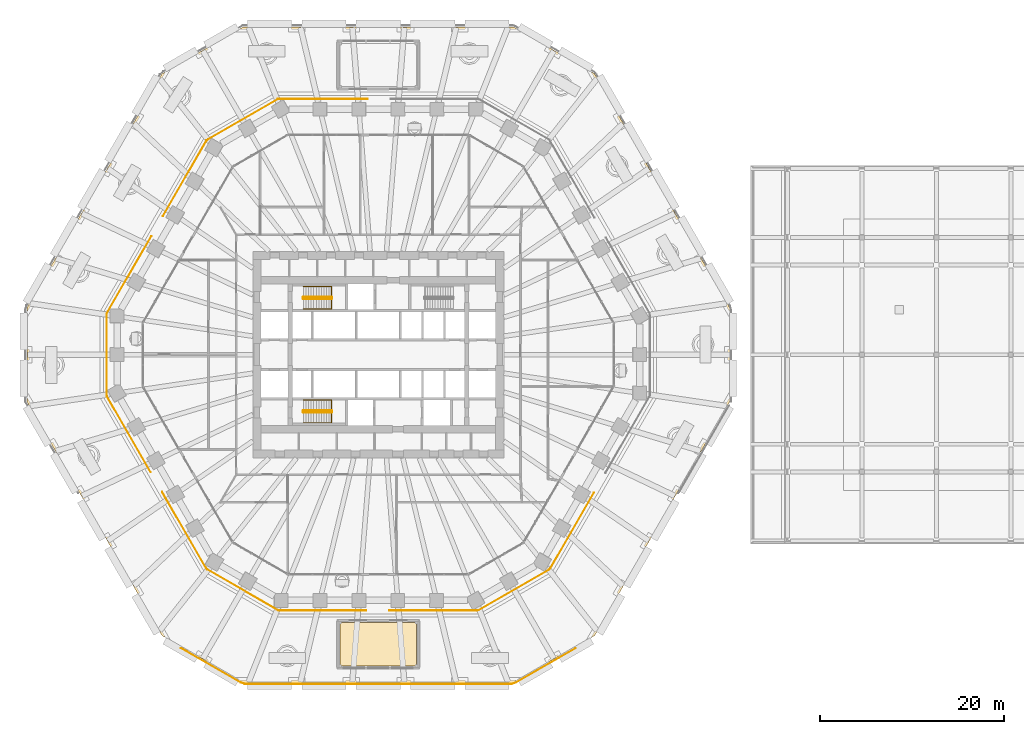
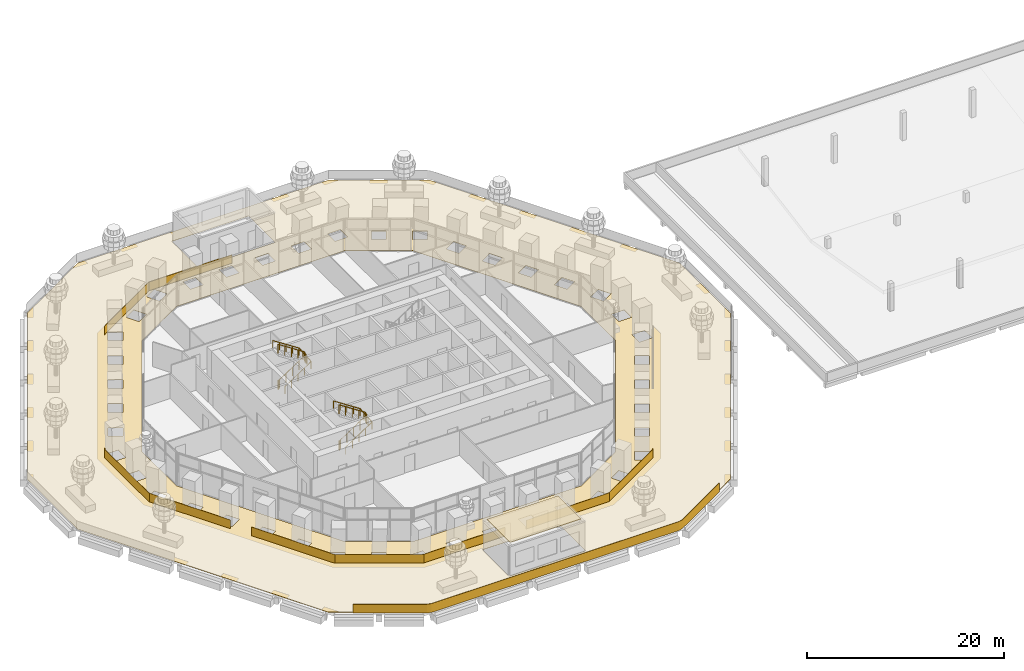
# One storey, part 28 of 32: 9 railings, 2 coverings.
"""IFC4 building model written with IfcOpenShell, lengths in metres."""

from ifc_helpers import new_model, si_unit, direction, frame, origin, origin_2d, place, context, subcontext, project, spatial, polyline, rectangle, circle, outline, extrude, material, layer, layer_set, type_object, element, save


model = new_model("IFC4")

# Units and contexts
model_context = context("Model", 3, precision=1e-05, world=origin(), true_north=direction((0.0, 1.0)))
body_context = subcontext(model_context, "Body", "Model", "MODEL_VIEW")
ifc_project = project(units=[si_unit("LENGTHUNIT", "METRE"), si_unit("AREAUNIT", "SQUARE_METRE"), si_unit("VOLUMEUNIT", "CUBIC_METRE"), si_unit("PLANEANGLEUNIT", "RADIAN"), si_unit("MASSUNIT", "GRAM", prefix="KILO")], contexts=[model_context])

# Site, building, storey
site_placement = place(None, origin())
site = spatial("IfcSite", under=ifc_project, at=site_placement, CompositionType="ELEMENT")
building_placement = place(site_placement, origin())
building = spatial("IfcBuilding", under=site, at=building_placement, Name="Frailejon Research Tower", CompositionType="ELEMENT")
storey_placement = place(building_placement, frame((0.0, 0.0, 14.60009765625)))
storey = spatial("IfcBuildingStorey", under=building, at=storey_placement, Name="L03", CompositionType="ELEMENT", Elevation=14.60009765625)

# Railings
ifc_material_1 = material(Name="Laminated glass balustrade", Category="glass")
railing_type_1 = type_object("IfcRailingType", Name="Glass guard 1100", PredefinedType="GUARDRAIL", material=ifc_material_1)
railing_1_placement = place(storey_placement, frame((-21.46337890625, -31.9130859375, 0.02978515625)))
element("IfcRailing", 1, at=railing_1_placement, inside=storey, type_object=railing_type_1, Name="Garden deck guard L03 2", PredefinedType="GUARDRAIL", context=body_context, shape_type="SweptSolid", body=[
    extrude(rectangle(XDim=7.500244140625, YDim=0.030029296875, at=origin_2d()), frame((3.24755859375, -1.875, 0.0), z_axis=(0.0, 0.0, 1.0), x_axis=(0.866031096941, -0.499990139034, 0.0)), (0.0, 0.0, 1.0), 1.10009765625),
    extrude(rectangle(XDim=0.48291015625, YDim=0.030029296875, at=origin_2d()), frame((6.72705078125, -3.818359375, 0.0), z_axis=(0.0, 0.0, 1.0), x_axis=(0.958945873726, -0.283589159283, 0.0)), (0.0, 0.0, 1.0), 1.10009765625),
    extrude(rectangle(XDim=29.0, YDim=0.030029296875, at=origin_2d()), frame((21.45849609375, -3.886962890625, 0.0), z_axis=(0.0, 0.0, 1.0), x_axis=(1.0, 0.0, 0.0)), (0.0, 0.0, 1.0), 1.10009765625),
    extrude(rectangle(XDim=0.48291015625, YDim=0.030029296875, at=origin_2d()), frame((36.19091796875, -3.82080078125, 0.0), z_axis=(0.0, 0.0, 1.0), x_axis=(0.961885514466, 0.273452476787, 0.0)), (0.0, 0.0, 1.0), 1.10009765625),
    extrude(rectangle(XDim=7.500244140625, YDim=0.030029296875, at=origin_2d()), frame((39.6708984375, -1.8798828125, 0.0), z_axis=(0.0, 0.0, 1.0), x_axis=(0.866031096941, 0.499990139034, 0.0)), (0.0, 0.0, 1.0), 1.10009765625),
])
railing_2_placement = place(storey_placement, frame((-1.157958984375, 27.82080078125, 0.0)))
element("IfcRailing", 2, at=railing_2_placement, inside=storey, type_object=railing_type_1, Name="Loggia guard L03 3", PredefinedType="GUARDRAIL", context=body_context, shape_type="SweptSolid", body=[
    extrude(rectangle(XDim=9.5, YDim=0.030029296875, at=origin_2d()), frame((-4.75, 0.0, 0.0), z_axis=(0.0, 0.0, 1.0), x_axis=(-1.0, 0.0, 0.0)), (0.0, 0.0, 1.0), 1.10009765625),
    extrude(rectangle(XDim=0.246826171875, YDim=0.030029296875, at=origin_2d()), frame((-9.623046875, -0.0068359375, 0.0), z_axis=(0.0, 0.0, 1.0), x_axis=(-0.998408159946, -0.056401650265, 0.0)), (0.0, 0.0, 1.0), 1.10009765625),
    extrude(rectangle(XDim=8.75, YDim=0.030029296875, at=origin_2d()), frame((-13.53515625, -2.201416015625, 0.0), z_axis=(0.0, 0.0, 1.0), x_axis=(-0.866022959057, -0.500004234368, 0.0)), (0.0, 0.0, 1.0), 1.10009765625),
    extrude(rectangle(XDim=0.244384765625, YDim=0.030029296875, at=origin_2d()), frame((-17.4228515625, -4.4609375, 0.0), z_axis=(0.0, 0.0, 1.0), x_axis=(-0.807958002114, -0.589240075707, 0.0)), (0.0, 0.0, 1.0), 1.10009765625),
    extrude(rectangle(XDim=9.499755859375, YDim=0.030029296875, at=origin_2d()), frame((-19.896484375, -8.646484375, 0.0), z_axis=(0.0, 0.0, 1.0), x_axis=(-0.500008685663, -0.866020389056, 0.0)), (0.0, 0.0, 1.0), 1.10009765625),
])
railing_3_placement = place(storey_placement, frame((-24.679443359375, 12.8955078125, 0.0)))
element("IfcRailing", 3, at=railing_3_placement, inside=storey, type_object=railing_type_1, Name="Loggia guard L03 4", PredefinedType="GUARDRAIL", context=body_context, shape_type="SweptSolid", body=[
    extrude(rectangle(XDim=9.499755859375, YDim=0.030029296875, at=origin_2d()), frame((-2.375, -4.113525390625, 0.0), z_axis=(0.0, 0.0, 1.0), x_axis=(-0.500008685663, -0.866020389056, 0.0)), (0.0, 0.0, 1.0), 1.10009765625),
    extrude(rectangle(XDim=0.245361328125, YDim=0.030029296875, at=origin_2d()), frame((-4.80224609375, -8.338134765625, 0.0), z_axis=(0.0, 0.0, 1.0), x_axis=(-0.424790674352, -0.905291601079, 0.0)), (0.0, 0.0, 1.0), 1.10009765625),
    extrude(rectangle(XDim=8.75, YDim=0.030029296875, at=origin_2d()), frame((-4.854248046875, -12.82421875, 0.0), z_axis=(0.0, 0.0, 1.0), x_axis=(0.0, -1.0, 0.0)), (0.0, 0.0, 1.0), 1.10009765625),
    extrude(rectangle(XDim=0.243408203125, YDim=0.030029296875, at=origin_2d()), frame((-4.837890625, -17.31982421875, 0.0), z_axis=(0.0, 0.0, 1.0), x_axis=(0.135381705295, -0.990793517274, 0.0)), (0.0, 0.0, 1.0), 1.10009765625),
    extrude(rectangle(XDim=9.5, YDim=0.030029296875, at=origin_2d()), frame((-2.4462890625, -21.55419921875, 0.0), z_axis=(0.0, 0.0, 1.0), x_axis=(0.499997557548, -0.86602681393, 0.0)), (0.0, 0.0, 1.0), 1.10009765625),
])
railing_4_placement = place(storey_placement, frame((-23.500732421875, -14.937255859375, 0.0)))
element("IfcRailing", 4, at=railing_4_placement, inside=storey, type_object=railing_type_1, Name="Loggia guard L03 5", PredefinedType="GUARDRAIL", context=body_context, shape_type="SweptSolid", body=[
    extrude(rectangle(XDim=9.499755859375, YDim=0.030029296875, at=origin_2d()), frame((2.375, -4.113525390625, 0.0), z_axis=(0.0, 0.0, 1.0), x_axis=(0.500008685663, -0.866020389056, 0.0)), (0.0, 0.0, 1.0), 1.10009765625),
    extrude(rectangle(XDim=0.244140625, YDim=0.030029296875, at=origin_2d()), frame((4.82275390625, -8.3251953125, 0.0), z_axis=(0.0, 0.0, 1.0), x_axis=(0.594868845878, -0.803822776614, 0.0)), (0.0, 0.0, 1.0), 1.10009765625),
    extrude(rectangle(XDim=8.750244140625, YDim=0.030029296875, at=origin_2d()), frame((8.68408203125, -10.61083984375, 0.0), z_axis=(0.0, 0.0, 1.0), x_axis=(0.866029934428, -0.499992152613, 0.0)), (0.0, 0.0, 1.0), 1.10009765625),
    extrude(rectangle(XDim=0.242431640625, YDim=0.030029296875, at=origin_2d()), frame((12.586669921875, -12.8408203125, 0.0), z_axis=(0.0, 0.0, 1.0), x_axis=(0.936246407743, -0.351344082045, 0.0)), (0.0, 0.0, 1.0), 1.10009765625),
    extrude(rectangle(XDim=9.5, YDim=0.030029296875, at=origin_2d()), frame((17.4501953125, -12.883544921875, 0.0), z_axis=(0.0, 0.0, 1.0), x_axis=(1.0, 0.0, 0.0)), (0.0, 0.0, 1.0), 1.10009765625),
])
railing_5_placement = place(storey_placement, frame((1.199462890625, -27.82080078125, 0.0)))
element("IfcRailing", 5, at=railing_5_placement, inside=storey, type_object=railing_type_1, Name="Loggia guard L03 6", PredefinedType="GUARDRAIL", context=body_context, shape_type="SweptSolid", body=[
    extrude(rectangle(XDim=9.5, YDim=0.030029296875, at=origin_2d()), frame((4.75, 0.0, 0.0), z_axis=(0.0, 0.0, 1.0), x_axis=(1.0, 0.0, 0.0)), (0.0, 0.0, 1.0), 1.10009765625),
    extrude(rectangle(XDim=0.2431640625, YDim=0.030029296875, at=origin_2d()), frame((9.620361328125, 0.017333984375, 0.0), z_axis=(0.0, 0.0, 1.0), x_axis=(0.989788240491, 0.142545568103, 0.0)), (0.0, 0.0, 1.0), 1.10009765625),
    extrude(rectangle(XDim=8.75, YDim=0.030029296875, at=origin_2d()), frame((13.529541015625, 2.22216796875, 0.0), z_axis=(0.0, 0.0, 1.0), x_axis=(0.866022959057, 0.500004234368, 0.0)), (0.0, 0.0, 1.0), 1.10009765625),
    extrude(rectangle(XDim=0.2421875, YDim=0.030029296875, at=origin_2d()), frame((17.40966796875, 4.4892578125, 0.0), z_axis=(0.0, 0.0, 1.0), x_axis=(0.753388318989, 0.65757588217, 0.0)), (0.0, 0.0, 1.0), 1.10009765625),
    extrude(rectangle(XDim=9.5, YDim=0.030029296875, at=origin_2d()), frame((19.875732421875, 8.6826171875, 0.0), z_axis=(0.0, 0.0, 1.0), x_axis=(0.499997557548, 0.86602681393, 0.0)), (0.0, 0.0, 1.0), 1.10009765625),
])

# Coverings
ifc_material_2 = material(Name="Stone paving slabs", Category="masonry")
ifc_layer_1 = layer(ifc_material_2, 0.030029296875)
ifc_layer_set_1 = layer_set([ifc_layer_1], Name="Paving 30")
covering_type_1 = type_object("IfcCoveringType", Name="Paving 30", PredefinedType="FLOORING", material=ifc_layer_set_1)
covering_1_placement = place(storey_placement, origin())
element("IfcCovering", 6, at=covering_1_placement, inside=storey, type_object=covering_type_1, Name="Garden deck paving L03", PredefinedType="FLOORING", context=body_context, shape_type="SweptSolid", body=[
    extrude(outline(polyline([(-14.69091796875, -35.64990234375), (-23.5283203125, -30.547607421875), (-38.21923828125, -5.102294921875), (-38.21923828125, 5.102294921875), (-23.5283203125, 30.547607421875), (-14.69091796875, 35.64990234375), (14.69091796875, 35.64990234375), (23.5283203125, 30.547607421875), (38.21923828125, 5.102294921875), (38.21923828125, -5.102294921875), (23.5283203125, -30.547607421875), (14.69091796875, -35.64990234375), (-14.69091796875, -35.64990234375)]), holes=[polyline([(9.8564453125, 24.0), (-9.8564453125, 24.0), (-15.8564453125, 20.535888671875), (-25.712890625, 3.464111328125), (-25.712890625, -3.464111328125), (-15.8564453125, -20.535888671875), (-9.8564453125, -24.0), (9.8564453125, -24.0), (15.8564453125, -20.535888671875), (25.712890625, -3.464111328125), (25.712890625, 3.464111328125), (15.8564453125, 20.535888671875), (9.8564453125, 24.0)]), polyline([(-17.558349609375, -23.536865234375), (-16.808349609375, -22.23779296875), (-18.107421875, -21.48779296875), (-18.857421875, -22.786865234375), (-17.558349609375, -23.536865234375)]), polyline([(-20.223388671875, -19.8720703125), (-18.92431640625, -19.1220703125), (-19.67431640625, -17.822998046875), (-20.973388671875, -18.572998046875), (-20.223388671875, -19.8720703125)]), polyline([(-22.33935546875, -16.20703125), (-21.040283203125, -15.45703125), (-21.790283203125, -14.157958984375), (-23.08935546875, -14.907958984375), (-22.33935546875, -16.20703125)]), polyline([(-25.205322265625, -11.242919921875), (-24.455322265625, -12.5419921875), (-23.156494140625, -11.7919921875), (-23.906494140625, -10.492919921875), (-25.205322265625, -11.242919921875)]), polyline([(-27.3212890625, -7.577880859375), (-26.5712890625, -8.876953125), (-25.272216796875, -8.126953125), (-26.022216796875, -6.827880859375), (-27.3212890625, -7.577880859375)]), polyline([(-28.687255859375, -5.212158203125), (-27.38818359375, -4.462158203125), (-28.13818359375, -3.1630859375), (-29.437255859375, -3.9130859375), (-28.687255859375, -5.212158203125)]), polyline([(-29.162841796875, -0.75), (-27.662841796875, -0.75), (-27.662841796875, 0.75), (-29.162841796875, 0.75), (-29.162841796875, -0.75)]), polyline([(-29.162841796875, 3.4375), (-27.662841796875, 3.4375), (-27.662841796875, 4.9375), (-29.162841796875, 4.9375), (-29.162841796875, 3.4375)]), polyline([(-26.5712890625, 8.876953125), (-27.3212890625, 7.577880859375), (-26.022216796875, 6.827880859375), (-25.272216796875, 8.126953125), (-26.5712890625, 8.876953125)]), polyline([(-24.455322265625, 12.5419921875), (-25.205322265625, 11.242919921875), (-23.906494140625, 10.492919921875), (-23.156494140625, 11.7919921875), (-24.455322265625, 12.5419921875)]), polyline([(-23.08935546875, 14.907958984375), (-21.790283203125, 14.157958984375), (-21.040283203125, 15.45703125), (-22.33935546875, 16.20703125), (-23.08935546875, 14.907958984375)]), polyline([(-20.973388671875, 18.572998046875), (-19.67431640625, 17.822998046875), (-18.92431640625, 19.1220703125), (-20.223388671875, 19.8720703125), (-20.973388671875, 18.572998046875)]), polyline([(-18.857421875, 22.23779296875), (-17.558349609375, 21.48779296875), (-16.808349609375, 22.786865234375), (-18.107421875, 23.536865234375), (-18.857421875, 22.23779296875)]), polyline([(-13.931884765625, 25.630615234375), (-15.23095703125, 24.880615234375), (-14.48095703125, 23.581787109375), (-13.181884765625, 24.331787109375), (-13.931884765625, 25.630615234375)]), polyline([(-11.329833984375, -27.449951171875), (-9.829833984375, -27.449951171875), (-9.829833984375, -25.949951171875), (-11.329833984375, -25.949951171875), (-11.329833984375, -27.449951171875)]), polyline([(-5.597900390625, -27.449951171875), (-5.597900390625, -25.949951171875), (-7.097900390625, -25.949951171875), (-7.097900390625, -27.449951171875), (-5.597900390625, -27.449951171875)]), polyline([(-2.865966796875, -27.449951171875), (-1.365966796875, -27.449951171875), (-1.365966796875, -25.949951171875), (-2.865966796875, -25.949951171875), (-2.865966796875, -27.449951171875)]), polyline([(1.365966796875, -27.449951171875), (2.865966796875, -27.449951171875), (2.865966796875, -25.949951171875), (1.365966796875, -25.949951171875), (1.365966796875, -27.449951171875)]), polyline([(7.097900390625, -27.449951171875), (7.097900390625, -25.949951171875), (5.597900390625, -25.949951171875), (5.597900390625, -27.449951171875), (7.097900390625, -27.449951171875)]), polyline([(10.305419921875, -27.724609375), (11.6044921875, -26.974609375), (10.8544921875, -25.675537109375), (9.555419921875, -26.425537109375), (10.305419921875, -27.724609375)]), polyline([(-15.23095703125, -24.880615234375), (-13.931884765625, -25.630615234375), (-13.181884765625, -24.331787109375), (-14.48095703125, -23.581787109375), (-15.23095703125, -24.880615234375)]), polyline([(13.931884765625, 25.630615234375), (13.181884765625, 24.331787109375), (14.48095703125, 23.581787109375), (15.23095703125, 24.880615234375), (13.931884765625, 25.630615234375)]), polyline([(-11.6044921875, 26.974609375), (-10.8544921875, 25.675537109375), (-9.555419921875, 26.425537109375), (-10.305419921875, 27.724609375), (-11.6044921875, 26.974609375)]), polyline([(-7.097900390625, 27.449951171875), (-7.097900390625, 25.949951171875), (-5.597900390625, 25.949951171875), (-5.597900390625, 27.449951171875), (-7.097900390625, 27.449951171875)]), polyline([(-1.365966796875, 27.449951171875), (-2.865966796875, 27.449951171875), (-2.865966796875, 25.949951171875), (-1.365966796875, 25.949951171875), (-1.365966796875, 27.449951171875)]), polyline([(2.865966796875, 27.449951171875), (1.365966796875, 27.449951171875), (1.365966796875, 25.949951171875), (2.865966796875, 25.949951171875), (2.865966796875, 27.449951171875)]), polyline([(5.597900390625, 27.449951171875), (5.597900390625, 25.949951171875), (7.097900390625, 25.949951171875), (7.097900390625, 27.449951171875), (5.597900390625, 27.449951171875)]), polyline([(9.829833984375, 27.449951171875), (9.829833984375, 25.949951171875), (11.329833984375, 25.949951171875), (11.329833984375, 27.449951171875), (9.829833984375, 27.449951171875)]), polyline([(15.23095703125, -24.880615234375), (14.48095703125, -23.581787109375), (13.181884765625, -24.331787109375), (13.931884765625, -25.630615234375), (15.23095703125, -24.880615234375)]), polyline([(18.107421875, -23.536865234375), (18.857421875, -22.23779296875), (17.558349609375, -21.48779296875), (16.808349609375, -22.786865234375), (18.107421875, -23.536865234375)]), polyline([(20.223388671875, -19.8720703125), (20.973388671875, -18.572998046875), (19.67431640625, -17.822998046875), (18.92431640625, -19.1220703125), (20.223388671875, -19.8720703125)]), polyline([(23.08935546875, -14.907958984375), (21.790283203125, -14.157958984375), (21.040283203125, -15.45703125), (22.33935546875, -16.20703125), (23.08935546875, -14.907958984375)]), polyline([(25.205322265625, -11.242919921875), (23.906494140625, -10.492919921875), (23.156494140625, -11.7919921875), (24.455322265625, -12.5419921875), (25.205322265625, -11.242919921875)]), polyline([(27.3212890625, -7.577880859375), (26.022216796875, -6.827880859375), (25.272216796875, -8.126953125), (26.5712890625, -8.876953125), (27.3212890625, -7.577880859375)]), polyline([(29.162841796875, -4.9375), (29.162841796875, -3.4375), (27.662841796875, -3.4375), (27.662841796875, -4.9375), (29.162841796875, -4.9375)]), polyline([(29.162841796875, -0.75), (29.162841796875, 0.75), (27.662841796875, 0.75), (27.662841796875, -0.75), (29.162841796875, -0.75)]), polyline([(28.687255859375, 5.212158203125), (27.38818359375, 4.462158203125), (28.13818359375, 3.1630859375), (29.437255859375, 3.9130859375), (28.687255859375, 5.212158203125)]), polyline([(27.3212890625, 7.577880859375), (26.5712890625, 8.876953125), (25.272216796875, 8.126953125), (26.022216796875, 6.827880859375), (27.3212890625, 7.577880859375)]), polyline([(25.205322265625, 11.242919921875), (24.455322265625, 12.5419921875), (23.156494140625, 11.7919921875), (23.906494140625, 10.492919921875), (25.205322265625, 11.242919921875)]), polyline([(22.33935546875, 16.20703125), (21.040283203125, 15.45703125), (21.790283203125, 14.157958984375), (23.08935546875, 14.907958984375), (22.33935546875, 16.20703125)]), polyline([(20.973388671875, 18.572998046875), (20.223388671875, 19.8720703125), (18.92431640625, 19.1220703125), (19.67431640625, 17.822998046875), (20.973388671875, 18.572998046875)]), polyline([(18.857421875, 22.786865234375), (17.558349609375, 23.536865234375), (16.808349609375, 22.23779296875), (18.107421875, 21.48779296875), (18.857421875, 22.786865234375)]), polyline([(-4.5, -28.800048828125), (-4.5, -34.199951171875), (4.5, -34.199951171875), (4.5, -28.800048828125), (-4.5, -28.800048828125)]), polyline([(4.5, 28.800048828125), (4.5, 34.199951171875), (-4.5, 34.199951171875), (-4.5, 28.800048828125), (4.5, 28.800048828125)])]), origin(), (0.0, 0.0, 1.0), 0.02978515625),
])
ifc_material_3 = material(Name="Bituminous roofing membrane with gravel ballast")
ifc_layer_2 = layer(ifc_material_3, 0.06005859375)
ifc_layer_set_2 = layer_set([ifc_layer_2], Name="Roofing membrane and ballast 60")
covering_type_2 = type_object("IfcCoveringType", Name="Roofing membrane and ballast 60", PredefinedType="ROOFING", material=ifc_layer_set_2)
covering_2_placement = place(storey_placement, frame((0.0, 0.0, 3.849853515625)))
element("IfcCovering", 7, at=covering_2_placement, inside=storey, type_object=covering_type_2, Name="Roofing Garden pavilion roof L03", PredefinedType="ROOFING", context=body_context, shape_type="SweptSolid", body=[
    extrude(outline(polyline([(-4.14990234375, -29.14990234375), (-4.14990234375, -33.85009765625), (4.14990234375, -33.85009765625), (4.14990234375, -29.14990234375), (-4.14990234375, -29.14990234375)])), origin(), (0.0, 0.0, 1.0), 0.06005859375),
])

# Railings
ifc_material_4 = material(Name="Stainless steel", Category="steel")
railing_type_2 = type_object("IfcRailingType", Name="Stair guard 1100", PredefinedType="GUARDRAIL", material=ifc_material_4)
railing_6_placement = place(storey_placement, frame((-8.199951171875, 6.25, 0.0)))
element("IfcRailing", 8, at=railing_6_placement, inside=storey, type_object=railing_type_2, Name="L03 ST1 stair guard 1", PredefinedType="GUARDRAIL", context=body_context, shape_type="SweptSolid", body=[
    extrude(circle(Radius=0.02392578125, at=origin_2d()), frame((0.0, 0.0, 1.076171875), z_axis=(0.0, -1.0, 0.0), x_axis=(1.0, 0.0, 0.0)), (0.0, 0.0, 1.0), 0.14990234375),
    extrude(circle(Radius=0.02392578125, at=origin_2d()), frame((0.0, -0.14990234375, 1.076171875), z_axis=(0.254653276557, -0.254653276557, 0.932900539971), x_axis=(0.707106781187, 0.707106781187, 0.0)), (0.0, 0.0, 1.0), 0.196533203125),
    extrude(circle(Radius=0.02392578125, at=origin_2d()), frame((0.050048828125, -0.199951171875, 1.25927734375), z_axis=(0.836613101238, 0.0, 0.547794230379), x_axis=(0.0, 1.0, 0.0)), (0.0, 0.0, 1.0), 3.681396484375),
    extrude(circle(Radius=0.02392578125, at=origin_2d()), frame((3.1298828125, -0.199951171875, 3.27587890625), z_axis=(0.707106781187, 0.707106781187, 0.0), x_axis=(-0.707106781187, 0.707106781187, 0.0)), (0.0, 0.0, 1.0), 0.07080078125),
    extrude(circle(Radius=0.02392578125, at=origin_2d()), frame((3.179931640625, -0.14990234375, 3.27587890625), z_axis=(0.0, 1.0, 0.0), x_axis=(-1.0, 0.0, 0.0)), (0.0, 0.0, 1.0), 0.14990234375),
    extrude(circle(Radius=0.02392578125, at=origin_2d()), frame((3.179931640625, 0.0, 3.27587890625), z_axis=(-0.254653276557, 0.254653276557, 0.932900539971), x_axis=(-0.707106781187, -0.707106781187, 0.0)), (0.0, 0.0, 1.0), 0.196533203125),
    extrude(circle(Radius=0.02392578125, at=origin_2d()), frame((3.1298828125, 0.050048828125, 3.45947265625), z_axis=(-0.836613101238, 0.0, 0.547794230379), x_axis=(0.0, -1.0, 0.0)), (0.0, 0.0, 1.0), 3.681396484375),
    extrude(circle(Radius=0.02099609375, at=origin_2d()), origin(), (0.0, 0.0, 1.0), 1.052001953125),
    extrude(circle(Radius=0.02099609375, at=origin_2d()), frame((0.0, -0.14990234375, 0.0)), (0.0, 0.0, 1.0), 1.052001953125),
    extrude(circle(Radius=0.02099609375, at=origin_2d()), frame((0.050048828125, -0.199951171875, 0.183349609375)), (0.0, 0.0, 1.0), 1.052001953125),
    extrude(circle(Radius=0.02099609375, at=origin_2d()), frame((0.820068359375, -0.199951171875, 0.6875)), (0.0, 0.0, 1.0), 1.052001953125),
    extrude(circle(Radius=0.02099609375, at=origin_2d()), frame((1.58984375, -0.199951171875, 1.191650390625)), (0.0, 0.0, 1.0), 1.052001953125),
    extrude(circle(Radius=0.02099609375, at=origin_2d()), frame((2.35986328125, -0.199951171875, 1.69580078125)), (0.0, 0.0, 1.0), 1.052001953125),
    extrude(circle(Radius=0.02099609375, at=origin_2d()), frame((3.1298828125, -0.199951171875, 2.199951171875)), (0.0, 0.0, 1.0), 1.052001953125),
    extrude(circle(Radius=0.02099609375, at=origin_2d()), frame((3.179931640625, -0.14990234375, 2.199951171875)), (0.0, 0.0, 1.0), 1.052001953125),
    extrude(circle(Radius=0.02099609375, at=origin_2d()), frame((3.179931640625, 0.0, 2.199951171875)), (0.0, 0.0, 1.0), 1.052001953125),
    extrude(circle(Radius=0.02099609375, at=origin_2d()), frame((3.1298828125, 0.050048828125, 2.38330078125)), (0.0, 0.0, 1.0), 1.052001953125),
    extrude(circle(Radius=0.02099609375, at=origin_2d()), frame((2.35986328125, 0.050048828125, 2.887451171875)), (0.0, 0.0, 1.0), 1.052001953125),
    extrude(circle(Radius=0.02099609375, at=origin_2d()), frame((1.58984375, 0.050048828125, 3.3916015625)), (0.0, 0.0, 1.0), 1.052001953125),
    extrude(circle(Radius=0.02099609375, at=origin_2d()), frame((0.820068359375, 0.050048828125, 3.895751953125)), (0.0, 0.0, 1.0), 1.052001953125),
    extrude(circle(Radius=0.02099609375, at=origin_2d()), frame((0.050048828125, 0.050048828125, 4.39990234375)), (0.0, 0.0, 1.0), 1.052001953125),
])
railing_7_placement = place(storey_placement, frame((-8.199951171875, -6.10009765625, 0.0)))
element("IfcRailing", 9, at=railing_7_placement, inside=storey, type_object=railing_type_2, Name="L03 ST2 stair guard 1", PredefinedType="GUARDRAIL", context=body_context, shape_type="SweptSolid", body=[
    extrude(circle(Radius=0.02392578125, at=origin_2d()), frame((0.0, 0.0, 1.076171875), z_axis=(0.0, -1.0, 0.0), x_axis=(1.0, 0.0, 0.0)), (0.0, 0.0, 1.0), 0.14990234375),
    extrude(circle(Radius=0.02392578125, at=origin_2d()), frame((0.0, -0.14990234375, 1.076171875), z_axis=(0.254653276557, -0.254653276557, 0.932900539971), x_axis=(0.707106781187, 0.707106781187, 0.0)), (0.0, 0.0, 1.0), 0.196533203125),
    extrude(circle(Radius=0.02392578125, at=origin_2d()), frame((0.050048828125, -0.199951171875, 1.25927734375), z_axis=(0.836613101238, 0.0, 0.547794230379), x_axis=(0.0, 1.0, 0.0)), (0.0, 0.0, 1.0), 3.681396484375),
    extrude(circle(Radius=0.02392578125, at=origin_2d()), frame((3.1298828125, -0.199951171875, 3.27587890625), z_axis=(0.707106781187, 0.707106781187, 0.0), x_axis=(-0.707106781187, 0.707106781187, 0.0)), (0.0, 0.0, 1.0), 0.07080078125),
    extrude(circle(Radius=0.02392578125, at=origin_2d()), frame((3.179931640625, -0.14990234375, 3.27587890625), z_axis=(0.0, 1.0, 0.0), x_axis=(-1.0, 0.0, 0.0)), (0.0, 0.0, 1.0), 0.14990234375),
    extrude(circle(Radius=0.02392578125, at=origin_2d()), frame((3.179931640625, 0.0, 3.27587890625), z_axis=(-0.254653276557, 0.254653276557, 0.932900539971), x_axis=(-0.707106781187, -0.707106781187, 0.0)), (0.0, 0.0, 1.0), 0.196533203125),
    extrude(circle(Radius=0.02392578125, at=origin_2d()), frame((3.1298828125, 0.050048828125, 3.45947265625), z_axis=(-0.836613101238, 0.0, 0.547794230379), x_axis=(0.0, -1.0, 0.0)), (0.0, 0.0, 1.0), 3.681396484375),
    extrude(circle(Radius=0.02099609375, at=origin_2d()), origin(), (0.0, 0.0, 1.0), 1.052001953125),
    extrude(circle(Radius=0.02099609375, at=origin_2d()), frame((0.0, -0.14990234375, 0.0)), (0.0, 0.0, 1.0), 1.052001953125),
    extrude(circle(Radius=0.02099609375, at=origin_2d()), frame((0.050048828125, -0.199951171875, 0.183349609375)), (0.0, 0.0, 1.0), 1.052001953125),
    extrude(circle(Radius=0.02099609375, at=origin_2d()), frame((0.820068359375, -0.199951171875, 0.6875)), (0.0, 0.0, 1.0), 1.052001953125),
    extrude(circle(Radius=0.02099609375, at=origin_2d()), frame((1.58984375, -0.199951171875, 1.191650390625)), (0.0, 0.0, 1.0), 1.052001953125),
    extrude(circle(Radius=0.02099609375, at=origin_2d()), frame((2.35986328125, -0.199951171875, 1.69580078125)), (0.0, 0.0, 1.0), 1.052001953125),
    extrude(circle(Radius=0.02099609375, at=origin_2d()), frame((3.1298828125, -0.199951171875, 2.199951171875)), (0.0, 0.0, 1.0), 1.052001953125),
    extrude(circle(Radius=0.02099609375, at=origin_2d()), frame((3.179931640625, -0.14990234375, 2.199951171875)), (0.0, 0.0, 1.0), 1.052001953125),
    extrude(circle(Radius=0.02099609375, at=origin_2d()), frame((3.179931640625, 0.0, 2.199951171875)), (0.0, 0.0, 1.0), 1.052001953125),
    extrude(circle(Radius=0.02099609375, at=origin_2d()), frame((3.1298828125, 0.050048828125, 2.38330078125)), (0.0, 0.0, 1.0), 1.052001953125),
    extrude(circle(Radius=0.02099609375, at=origin_2d()), frame((2.35986328125, 0.050048828125, 2.887451171875)), (0.0, 0.0, 1.0), 1.052001953125),
    extrude(circle(Radius=0.02099609375, at=origin_2d()), frame((1.58984375, 0.050048828125, 3.3916015625)), (0.0, 0.0, 1.0), 1.052001953125),
    extrude(circle(Radius=0.02099609375, at=origin_2d()), frame((0.820068359375, 0.050048828125, 3.895751953125)), (0.0, 0.0, 1.0), 1.052001953125),
    extrude(circle(Radius=0.02099609375, at=origin_2d()), frame((0.050048828125, 0.050048828125, 4.39990234375)), (0.0, 0.0, 1.0), 1.052001953125),
])
ifc_material_5 = material(Name="Stainless steel", Category="steel")
railing_type_3 = type_object("IfcRailingType", Name="Stair handrail 900", PredefinedType="HANDRAIL", material=ifc_material_5)
railing_8_placement = place(storey_placement, frame((-8.14990234375, 4.949951171875, 0.183349609375)))
element("IfcRailing", 10, at=railing_8_placement, inside=storey, type_object=railing_type_3, Name="L03 ST1 stair handrail 1", PredefinedType="HANDRAIL", context=body_context, shape_type="SweptSolid", body=[
    extrude(circle(Radius=0.02392578125, at=origin_2d()), frame((0.0, 0.0, 0.8759765625), z_axis=(0.836613101238, 0.0, 0.547794230379), x_axis=(0.0, 1.0, 0.0)), (0.0, 0.0, 1.0), 3.681396484375),
    extrude(circle(Radius=0.02392578125, at=origin_2d()), frame((3.079833984375, 0.0, 2.892578125), z_axis=(0.0, 0.99721134034, 0.074629368868), x_axis=(-1.0, 0.0, 0.0)), (0.0, 0.0, 1.0), 2.456787109375),
    extrude(circle(Radius=0.02392578125, at=origin_2d()), frame((3.079833984375, 2.449951171875, 3.07568359375), z_axis=(-0.836613101238, 0.0, 0.547794230379), x_axis=(0.0, -1.0, 0.0)), (0.0, 0.0, 1.0), 3.681396484375),
    extrude(circle(Radius=0.02099609375, at=origin_2d()), origin(), (0.0, 0.0, 1.0), 0.851806640625),
    extrude(circle(Radius=0.02099609375, at=origin_2d()), frame((0.77001953125, 0.0, 0.504150390625)), (0.0, 0.0, 1.0), 0.851806640625),
    extrude(circle(Radius=0.02099609375, at=origin_2d()), frame((1.5400390625, 0.0, 1.00830078125)), (0.0, 0.0, 1.0), 0.851806640625),
    extrude(circle(Radius=0.02099609375, at=origin_2d()), frame((2.309814453125, 0.0, 1.512451171875)), (0.0, 0.0, 1.0), 0.851806640625),
    extrude(circle(Radius=0.02099609375, at=origin_2d()), frame((3.079833984375, 0.0, 2.0166015625)), (0.0, 0.0, 1.0), 0.851806640625),
    extrude(circle(Radius=0.02099609375, at=origin_2d()), frame((3.079833984375, 0.816650390625, 2.07763671875)), (0.0, 0.0, 1.0), 0.851806640625),
    extrude(circle(Radius=0.02099609375, at=origin_2d()), frame((3.079833984375, 1.63330078125, 2.138916015625)), (0.0, 0.0, 1.0), 0.851806640625),
    extrude(circle(Radius=0.02099609375, at=origin_2d()), frame((3.079833984375, 2.449951171875, 2.199951171875)), (0.0, 0.0, 1.0), 0.851806640625),
    extrude(circle(Radius=0.02099609375, at=origin_2d()), frame((2.309814453125, 2.449951171875, 2.7041015625)), (0.0, 0.0, 1.0), 0.851806640625),
    extrude(circle(Radius=0.02099609375, at=origin_2d()), frame((1.5400390625, 2.449951171875, 3.208251953125)), (0.0, 0.0, 1.0), 0.851806640625),
    extrude(circle(Radius=0.02099609375, at=origin_2d()), frame((0.77001953125, 2.449951171875, 3.71240234375)), (0.0, 0.0, 1.0), 0.851806640625),
    extrude(circle(Radius=0.02099609375, at=origin_2d()), frame((0.0, 2.449951171875, 4.216552734375)), (0.0, 0.0, 1.0), 0.851806640625),
])
railing_9_placement = place(storey_placement, frame((-8.14990234375, -7.39990234375, 0.183349609375)))
element("IfcRailing", 11, at=railing_9_placement, inside=storey, type_object=railing_type_3, Name="L03 ST2 stair handrail 1", PredefinedType="HANDRAIL", context=body_context, shape_type="SweptSolid", body=[
    extrude(circle(Radius=0.02392578125, at=origin_2d()), frame((0.0, 0.0, 0.8759765625), z_axis=(0.836613101238, 0.0, 0.547794230379), x_axis=(0.0, 1.0, 0.0)), (0.0, 0.0, 1.0), 3.681396484375),
    extrude(circle(Radius=0.02392578125, at=origin_2d()), frame((3.079833984375, 0.0, 2.892578125), z_axis=(0.0, 0.99721134034, 0.074629368868), x_axis=(-1.0, 0.0, 0.0)), (0.0, 0.0, 1.0), 2.456787109375),
    extrude(circle(Radius=0.02392578125, at=origin_2d()), frame((3.079833984375, 2.449951171875, 3.07568359375), z_axis=(-0.836613101238, 0.0, 0.547794230379), x_axis=(0.0, -1.0, 0.0)), (0.0, 0.0, 1.0), 3.681396484375),
    extrude(circle(Radius=0.02099609375, at=origin_2d()), origin(), (0.0, 0.0, 1.0), 0.851806640625),
    extrude(circle(Radius=0.02099609375, at=origin_2d()), frame((0.77001953125, 0.0, 0.504150390625)), (0.0, 0.0, 1.0), 0.851806640625),
    extrude(circle(Radius=0.02099609375, at=origin_2d()), frame((1.5400390625, 0.0, 1.00830078125)), (0.0, 0.0, 1.0), 0.851806640625),
    extrude(circle(Radius=0.02099609375, at=origin_2d()), frame((2.309814453125, 0.0, 1.512451171875)), (0.0, 0.0, 1.0), 0.851806640625),
    extrude(circle(Radius=0.02099609375, at=origin_2d()), frame((3.079833984375, 0.0, 2.0166015625)), (0.0, 0.0, 1.0), 0.851806640625),
    extrude(circle(Radius=0.02099609375, at=origin_2d()), frame((3.079833984375, 0.816650390625, 2.07763671875)), (0.0, 0.0, 1.0), 0.851806640625),
    extrude(circle(Radius=0.02099609375, at=origin_2d()), frame((3.079833984375, 1.63330078125, 2.138916015625)), (0.0, 0.0, 1.0), 0.851806640625),
    extrude(circle(Radius=0.02099609375, at=origin_2d()), frame((3.079833984375, 2.449951171875, 2.199951171875)), (0.0, 0.0, 1.0), 0.851806640625),
    extrude(circle(Radius=0.02099609375, at=origin_2d()), frame((2.309814453125, 2.449951171875, 2.7041015625)), (0.0, 0.0, 1.0), 0.851806640625),
    extrude(circle(Radius=0.02099609375, at=origin_2d()), frame((1.5400390625, 2.449951171875, 3.208251953125)), (0.0, 0.0, 1.0), 0.851806640625),
    extrude(circle(Radius=0.02099609375, at=origin_2d()), frame((0.77001953125, 2.449951171875, 3.71240234375)), (0.0, 0.0, 1.0), 0.851806640625),
    extrude(circle(Radius=0.02099609375, at=origin_2d()), frame((0.0, 2.449951171875, 4.216552734375)), (0.0, 0.0, 1.0), 0.851806640625),
])

save(model, "model.ifc")
